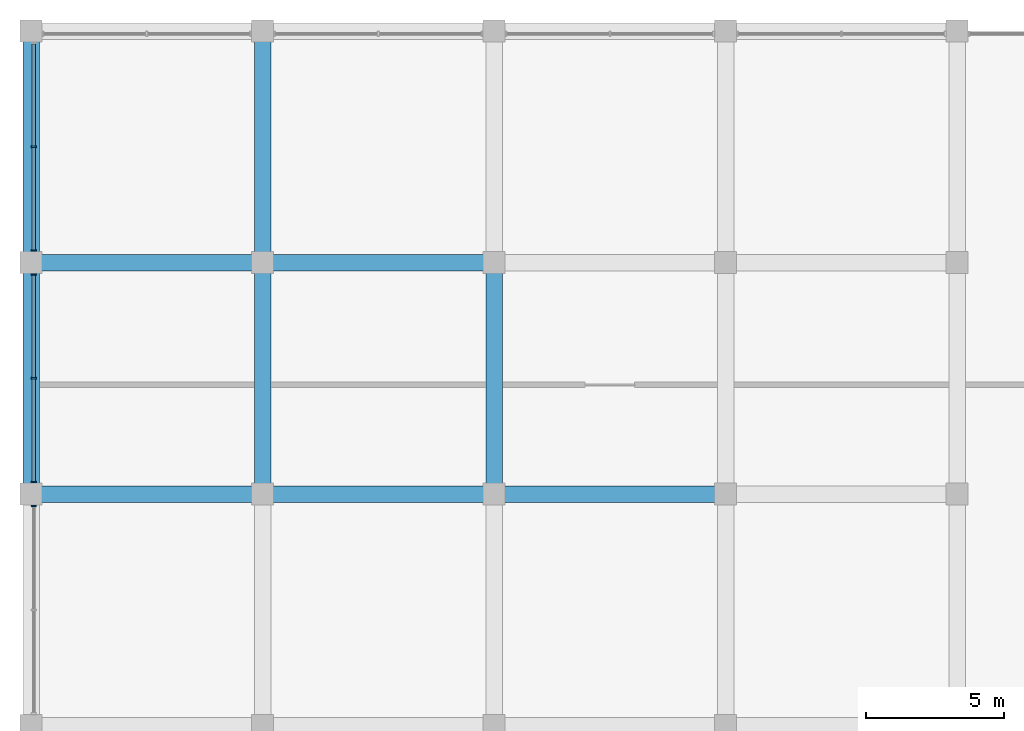
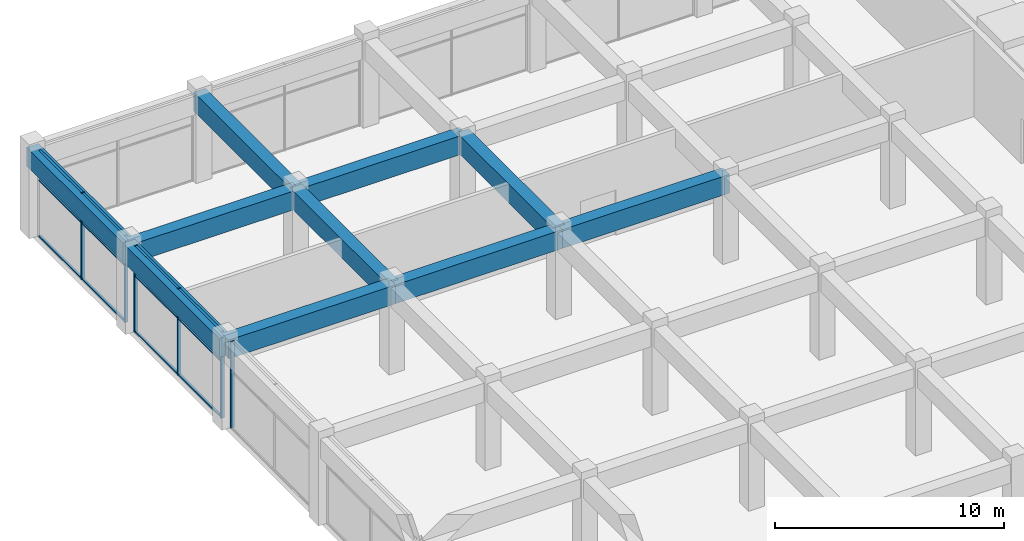
# One storey, part 17 of 33: 18 members, 10 beams, 3 elements without a shape of their own.
"""IFC4 building model written with IfcOpenShell, lengths in metres."""

from ifc_helpers import new_model, si_unit, direction, frame, origin, origin_2d, place, context, subcontext, project, spatial, rectangle, extrude, material, material_profile, profile_set, type_object, element, aggregate, save


model = new_model("IFC4")

# Units and contexts
model_context = context("Model", 3, precision=1e-05, world=origin(), true_north=direction((0.0, 1.0)))
body_context = subcontext(model_context, "Body", "Model", "MODEL_VIEW")
ifc_project = project(units=[si_unit("LENGTHUNIT", "METRE"), si_unit("AREAUNIT", "SQUARE_METRE"), si_unit("VOLUMEUNIT", "CUBIC_METRE"), si_unit("PLANEANGLEUNIT", "RADIAN"), si_unit("MASSUNIT", "GRAM", prefix="KILO")], contexts=[model_context])

# Site, building, storey
site_placement = place(None, origin())
site = spatial("IfcSite", under=ifc_project, at=site_placement, CompositionType="ELEMENT")
building_placement = place(site_placement, origin())
building = spatial("IfcBuilding", under=site, at=building_placement, Name="Impinga Residences", CompositionType="ELEMENT")
storey_placement = place(building_placement, frame((0.0, 0.0, 21.0)))
storey = spatial("IfcBuildingStorey", under=building, at=storey_placement, Name="L04", CompositionType="ELEMENT", Elevation=21.0)

# Curtain wall, member
ifc_material_1 = material(Name="Aluminium stick curtain wall", Category="aluminium")
curtain_wall_type = type_object("IfcCurtainWallType", Name="CW1 podium amenity curtain wall", PredefinedType="USERDEFINED", material=ifc_material_1)
curtain_wall_1_placement = place(storey_placement, origin())
curtain_wall_1 = element("IfcCurtainWall", 1, at=curtain_wall_1_placement, inside=storey, type_object=curtain_wall_type, Name="Curtain wall CW1 L04", ObjectType="STICK CURTAIN WALL", PredefinedType="USERDEFINED")
ifc_material_2 = material(Name="Aluminium mullion", Category="aluminium")
ifc_material_profile_1 = material_profile(ifc_material_2, rectangle(XDim=0.06005859375, YDim=0.179931640625, at=origin_2d()), Name="60x180 mullion")
ifc_profile_set_1 = profile_set([ifc_material_profile_1], Name="Aluminium mullion")
member_type_1 = type_object("IfcMemberType", Name="CW1-M mullion 60x180", PredefinedType="MULLION", material=ifc_profile_set_1)
member_1_placement = place(storey_placement, frame((-50.300048828125, 33.1669921875, 0.0), z_axis=(0.0, 0.0, 1.0), x_axis=(0.0, 1.0, 0.0)))
member_1 = element("IfcMember", 2, at=member_1_placement, type_object=member_type_1, Name="CW1 mullion 3", PredefinedType="MULLION", context=body_context, shape_type="SweptSolid", body=[
    extrude(rectangle(XDim=0.06005859375, YDim=0.179931640625, at=origin_2d()), origin(), (0.0, 0.0, 1.0), 4.60009765625),
])
aggregate(curtain_wall_1, [member_1])

# Curtain wall, members
curtain_wall_2_placement = place(storey_placement, origin())
curtain_wall_2 = element("IfcCurtainWall", 3, at=curtain_wall_2_placement, inside=storey, type_object=curtain_wall_type, Name="Curtain wall CW1 L04", ObjectType="STICK CURTAIN WALL", PredefinedType="USERDEFINED")
member_2_placement = place(storey_placement, frame((-50.300048828125, 34.032958984375, 0.0), z_axis=(0.0, 0.0, 1.0), x_axis=(0.0, 1.0, 0.0)))
member_2 = element("IfcMember", 4, at=member_2_placement, type_object=member_type_1, Name="CW1 mullion 1", PredefinedType="MULLION", context=body_context, shape_type="SweptSolid", body=[
    extrude(rectangle(XDim=0.06005859375, YDim=0.179931640625, at=origin_2d()), origin(), (0.0, 0.0, 1.0), 4.60009765625),
])
member_3_placement = place(storey_placement, frame((-50.300048828125, 37.800048828125, 0.0), z_axis=(0.0, 0.0, 1.0), x_axis=(0.0, 1.0, 0.0)))
member_3 = element("IfcMember", 5, at=member_3_placement, type_object=member_type_1, Name="CW1 mullion 2", PredefinedType="MULLION", context=body_context, shape_type="SweptSolid", body=[
    extrude(rectangle(XDim=0.06005859375, YDim=0.179931640625, at=origin_2d()), origin(), (0.0, 0.0, 1.0), 4.60009765625),
])
member_4_placement = place(storey_placement, frame((-50.300048828125, 41.56689453125, 0.0), z_axis=(0.0, 0.0, 1.0), x_axis=(0.0, 1.0, 0.0)))
member_4 = element("IfcMember", 6, at=member_4_placement, type_object=member_type_1, Name="CW1 mullion 3", PredefinedType="MULLION", context=body_context, shape_type="SweptSolid", body=[
    extrude(rectangle(XDim=0.06005859375, YDim=0.179931640625, at=origin_2d()), origin(), (0.0, 0.0, 1.0), 4.60009765625),
])

curtain_wall_3_placement = place(storey_placement, origin())
curtain_wall_3 = element("IfcCurtainWall", 7, at=curtain_wall_3_placement, inside=storey, type_object=curtain_wall_type, Name="Curtain wall CW1 L04", ObjectType="STICK CURTAIN WALL", PredefinedType="USERDEFINED")
member_5_placement = place(storey_placement, frame((-50.300048828125, 42.43310546875, 0.0), z_axis=(0.0, 0.0, 1.0), x_axis=(0.0, 1.0, 0.0)))
member_5 = element("IfcMember", 8, at=member_5_placement, type_object=member_type_1, Name="CW1 mullion 1", PredefinedType="MULLION", context=body_context, shape_type="SweptSolid", body=[
    extrude(rectangle(XDim=0.06005859375, YDim=0.179931640625, at=origin_2d()), origin(), (0.0, 0.0, 1.0), 4.60009765625),
])
member_6_placement = place(storey_placement, frame((-50.300048828125, 46.199951171875, 0.0), z_axis=(0.0, 0.0, 1.0), x_axis=(0.0, 1.0, 0.0)))
member_6 = element("IfcMember", 9, at=member_6_placement, type_object=member_type_1, Name="CW1 mullion 2", PredefinedType="MULLION", context=body_context, shape_type="SweptSolid", body=[
    extrude(rectangle(XDim=0.06005859375, YDim=0.179931640625, at=origin_2d()), origin(), (0.0, 0.0, 1.0), 4.60009765625),
])

# Member
ifc_material_3 = material(Name="Aluminium transom", Category="aluminium")
ifc_material_profile_2 = material_profile(ifc_material_3, rectangle(XDim=0.06005859375, YDim=0.1201171875, at=origin_2d()), Name="60x120 transom")
ifc_profile_set_2 = profile_set([ifc_material_profile_2], Name="Aluminium transom")
member_type_2 = type_object("IfcMemberType", Name="CW1-T transom 60x120", PredefinedType="USERDEFINED", material=ifc_profile_set_2)
member_7_placement = place(storey_placement, frame((-50.300048828125, 34.06298828125, 0.030029296875), z_axis=(0.0, 1.0, 0.0), x_axis=(0.0, 0.0, 1.0)))
member_7 = element("IfcMember", 10, at=member_7_placement, type_object=member_type_2, Name="CW1 transom 1.1", ObjectType="TRANSOM", PredefinedType="USERDEFINED", context=body_context, shape_type="SweptSolid", body=[
    extrude(rectangle(XDim=0.06005859375, YDim=0.1201171875, at=origin_2d()), origin(), (0.0, 0.0, 1.0), 3.70703125),
])

member_8_placement = place(storey_placement, frame((-50.300048828125, 34.06298828125, 3.0), z_axis=(0.0, 1.0, 0.0), x_axis=(0.0, 0.0, 1.0)))
member_8 = element("IfcMember", 11, at=member_8_placement, type_object=member_type_2, Name="CW1 transom 1.2", ObjectType="TRANSOM", PredefinedType="USERDEFINED", context=body_context, shape_type="SweptSolid", body=[
    extrude(rectangle(XDim=0.06005859375, YDim=0.1201171875, at=origin_2d()), origin(), (0.0, 0.0, 1.0), 3.70703125),
])

member_9_placement = place(storey_placement, frame((-50.300048828125, 34.06298828125, 4.570068359375), z_axis=(0.0, 1.0, 0.0), x_axis=(0.0, 0.0, 1.0)))
member_9 = element("IfcMember", 12, at=member_9_placement, type_object=member_type_2, Name="CW1 transom 1.3", ObjectType="TRANSOM", PredefinedType="USERDEFINED", context=body_context, shape_type="SweptSolid", body=[
    extrude(rectangle(XDim=0.06005859375, YDim=0.1201171875, at=origin_2d()), origin(), (0.0, 0.0, 1.0), 3.70703125),
])

member_10_placement = place(storey_placement, frame((-50.300048828125, 37.830078125, 0.030029296875), z_axis=(0.0, 1.0, 0.0), x_axis=(0.0, 0.0, 1.0)))
member_10 = element("IfcMember", 13, at=member_10_placement, type_object=member_type_2, Name="CW1 transom 2.1", ObjectType="TRANSOM", PredefinedType="USERDEFINED", context=body_context, shape_type="SweptSolid", body=[
    extrude(rectangle(XDim=0.06005859375, YDim=0.1201171875, at=origin_2d()), origin(), (0.0, 0.0, 1.0), 3.70703125),
])

member_11_placement = place(storey_placement, frame((-50.300048828125, 37.830078125, 3.0), z_axis=(0.0, 1.0, 0.0), x_axis=(0.0, 0.0, 1.0)))
member_11 = element("IfcMember", 14, at=member_11_placement, type_object=member_type_2, Name="CW1 transom 2.2", ObjectType="TRANSOM", PredefinedType="USERDEFINED", context=body_context, shape_type="SweptSolid", body=[
    extrude(rectangle(XDim=0.06005859375, YDim=0.1201171875, at=origin_2d()), origin(), (0.0, 0.0, 1.0), 3.70703125),
])

member_12_placement = place(storey_placement, frame((-50.300048828125, 37.830078125, 4.570068359375), z_axis=(0.0, 1.0, 0.0), x_axis=(0.0, 0.0, 1.0)))
member_12 = element("IfcMember", 15, at=member_12_placement, type_object=member_type_2, Name="CW1 transom 2.3", ObjectType="TRANSOM", PredefinedType="USERDEFINED", context=body_context, shape_type="SweptSolid", body=[
    extrude(rectangle(XDim=0.06005859375, YDim=0.1201171875, at=origin_2d()), origin(), (0.0, 0.0, 1.0), 3.70703125),
])

aggregate(curtain_wall_2, [member_2, member_3, member_4, member_7, member_8, member_9, member_10, member_11, member_12])

member_13_placement = place(storey_placement, frame((-50.300048828125, 42.462890625, 0.030029296875), z_axis=(0.0, 1.0, 0.0), x_axis=(0.0, 0.0, 1.0)))
member_13 = element("IfcMember", 16, at=member_13_placement, type_object=member_type_2, Name="CW1 transom 1.1", ObjectType="TRANSOM", PredefinedType="USERDEFINED", context=body_context, shape_type="SweptSolid", body=[
    extrude(rectangle(XDim=0.06005859375, YDim=0.1201171875, at=origin_2d()), origin(), (0.0, 0.0, 1.0), 3.70703125),
])

member_14_placement = place(storey_placement, frame((-50.300048828125, 42.462890625, 3.0), z_axis=(0.0, 1.0, 0.0), x_axis=(0.0, 0.0, 1.0)))
member_14 = element("IfcMember", 17, at=member_14_placement, type_object=member_type_2, Name="CW1 transom 1.2", ObjectType="TRANSOM", PredefinedType="USERDEFINED", context=body_context, shape_type="SweptSolid", body=[
    extrude(rectangle(XDim=0.06005859375, YDim=0.1201171875, at=origin_2d()), origin(), (0.0, 0.0, 1.0), 3.70703125),
])

member_15_placement = place(storey_placement, frame((-50.300048828125, 42.462890625, 4.570068359375), z_axis=(0.0, 1.0, 0.0), x_axis=(0.0, 0.0, 1.0)))
member_15 = element("IfcMember", 18, at=member_15_placement, type_object=member_type_2, Name="CW1 transom 1.3", ObjectType="TRANSOM", PredefinedType="USERDEFINED", context=body_context, shape_type="SweptSolid", body=[
    extrude(rectangle(XDim=0.06005859375, YDim=0.1201171875, at=origin_2d()), origin(), (0.0, 0.0, 1.0), 3.70703125),
])

member_16_placement = place(storey_placement, frame((-50.300048828125, 46.22998046875, 0.030029296875), z_axis=(0.0, 1.0, 0.0), x_axis=(0.0, 0.0, 1.0)))
member_16 = element("IfcMember", 19, at=member_16_placement, type_object=member_type_2, Name="CW1 transom 2.1", ObjectType="TRANSOM", PredefinedType="USERDEFINED", context=body_context, shape_type="SweptSolid", body=[
    extrude(rectangle(XDim=0.06005859375, YDim=0.1201171875, at=origin_2d()), origin(), (0.0, 0.0, 1.0), 3.70703125),
])

member_17_placement = place(storey_placement, frame((-50.300048828125, 46.22998046875, 3.0), z_axis=(0.0, 1.0, 0.0), x_axis=(0.0, 0.0, 1.0)))
member_17 = element("IfcMember", 20, at=member_17_placement, type_object=member_type_2, Name="CW1 transom 2.2", ObjectType="TRANSOM", PredefinedType="USERDEFINED", context=body_context, shape_type="SweptSolid", body=[
    extrude(rectangle(XDim=0.06005859375, YDim=0.1201171875, at=origin_2d()), origin(), (0.0, 0.0, 1.0), 3.70703125),
])

member_18_placement = place(storey_placement, frame((-50.300048828125, 46.22998046875, 4.570068359375), z_axis=(0.0, 1.0, 0.0), x_axis=(0.0, 0.0, 1.0)))
member_18 = element("IfcMember", 21, at=member_18_placement, type_object=member_type_2, Name="CW1 transom 2.3", ObjectType="TRANSOM", PredefinedType="USERDEFINED", context=body_context, shape_type="SweptSolid", body=[
    extrude(rectangle(XDim=0.06005859375, YDim=0.1201171875, at=origin_2d()), origin(), (0.0, 0.0, 1.0), 3.70703125),
])

aggregate(curtain_wall_3, [member_5, member_6, member_13, member_14, member_15, member_16, member_17, member_18])

# Beams
ifc_material_4 = material(Name="Concrete C60/75", Category="concrete")
ifc_material_profile_3 = material_profile(ifc_material_4, rectangle(XDim=0.60009765625, YDim=1.0, at=origin_2d()), Name="RC 600x1000")
ifc_profile_set_3 = profile_set([ifc_material_profile_3], Name="Concrete C60/75")
beam_type = type_object("IfcBeamType", Name="PB2 600x1000 podium beam", PredefinedType="BEAM", material=ifc_profile_set_3)
for number, where, z_axis, x_axis, name in (
    (22, (-50.39990234375, 33.60009765625, 4.10009765625), (1.0, 0.0, 0.0), (0.0, 1.0, 0.0), "Beam PB2 K/1-2 level L05"),
    (23, (-42.0, 33.60009765625, 4.10009765625), (1.0, 0.0, 0.0), (0.0, 1.0, 0.0), "Beam PB2 K/2-3 level L05"),
):
    element("IfcBeam", number, at=place(storey_placement, frame(where, z_axis=z_axis, x_axis=x_axis)), inside=storey, type_object=beam_type, Name=name, PredefinedType="BEAM", context=body_context, shape_type="SweptSolid", body=[
        extrude(rectangle(XDim=0.60009765625, YDim=1.0, at=origin_2d()), origin(), (0.0, 0.0, 1.0), 8.39990234375),
    ])
beam_placement = place(storey_placement, frame((-33.60009765625, 33.60009765625, 4.10009765625), z_axis=(1.0, 0.0, 0.0), x_axis=(0.0, 1.0, 0.0)))
element("IfcBeam", 24, at=beam_placement, inside=storey, type_object=beam_type, Name="Beam PB2 K/3-4 level L05", PredefinedType="BEAM", context=body_context, shape_type="SweptSolid", body=[
    extrude(rectangle(XDim=0.60009765625, YDim=1.0, at=origin_2d()), origin(), (0.0, 0.0, 1.0), 8.400146484375),
])
for number, where, z_axis, x_axis, name in (
    (25, (-50.39990234375, 42.0, 4.10009765625), (1.0, 0.0, 0.0), (0.0, 1.0, 0.0), "Beam PB2 L/1-2 level L05"),
    (26, (-42.0, 42.0, 4.10009765625), (1.0, 0.0, 0.0), (0.0, 1.0, 0.0), "Beam PB2 L/2-3 level L05"),
    (27, (-50.39990234375, 33.60009765625, 4.10009765625), (0.0, 1.0, 0.0), (-1.0, 0.0, 0.0), "Beam PB2 1/K-L level L05"),
    (28, (-50.39990234375, 42.0, 4.10009765625), (0.0, 1.0, 0.0), (-1.0, 0.0, 0.0), "Beam PB2 1/L-M level L05"),
    (29, (-42.0, 33.60009765625, 4.10009765625), (0.0, 1.0, 0.0), (-1.0, 0.0, 0.0), "Beam PB2 2/K-L level L05"),
    (30, (-42.0, 42.0, 4.10009765625), (0.0, 1.0, 0.0), (-1.0, 0.0, 0.0), "Beam PB2 2/L-M level L05"),
    (31, (-33.60009765625, 33.60009765625, 4.10009765625), (0.0, 1.0, 0.0), (-1.0, 0.0, 0.0), "Beam PB2 3/K-L level L05"),
):
    element("IfcBeam", number, at=place(storey_placement, frame(where, z_axis=z_axis, x_axis=x_axis)), inside=storey, type_object=beam_type, Name=name, PredefinedType="BEAM", context=body_context, shape_type="SweptSolid", body=[
        extrude(rectangle(XDim=0.60009765625, YDim=1.0, at=origin_2d()), origin(), (0.0, 0.0, 1.0), 8.39990234375),
    ])

save(model, "model.ifc")
